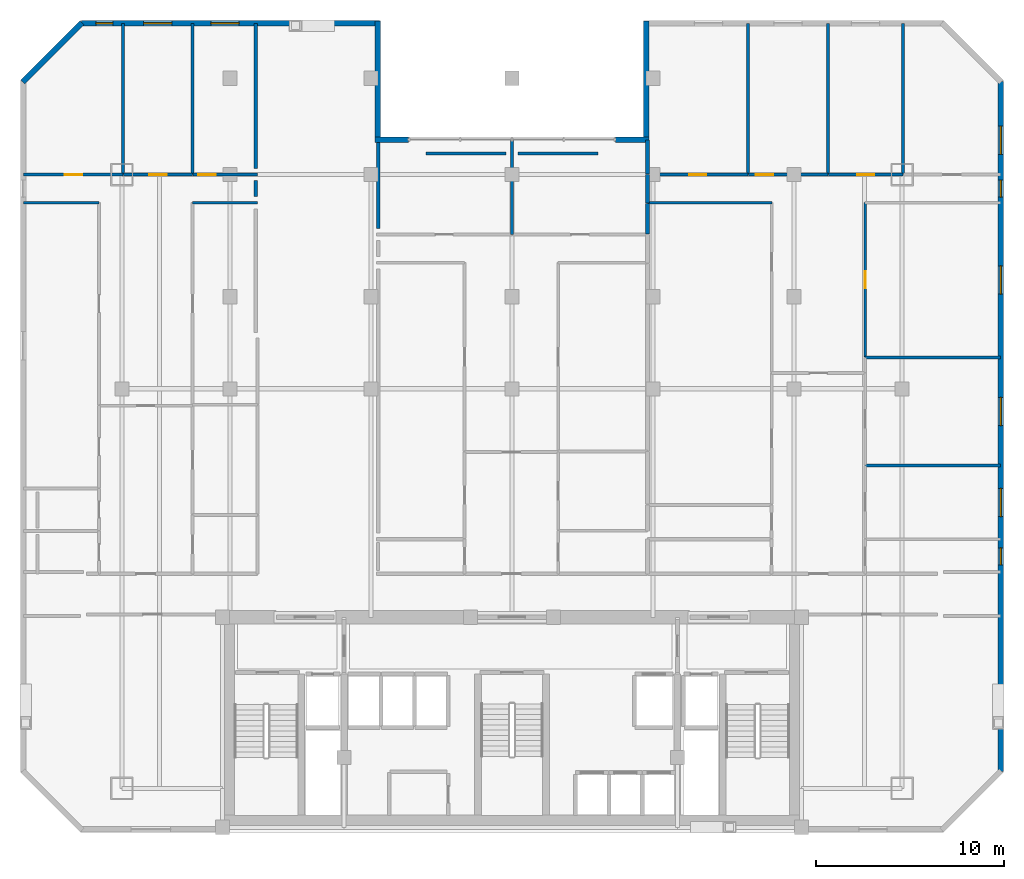
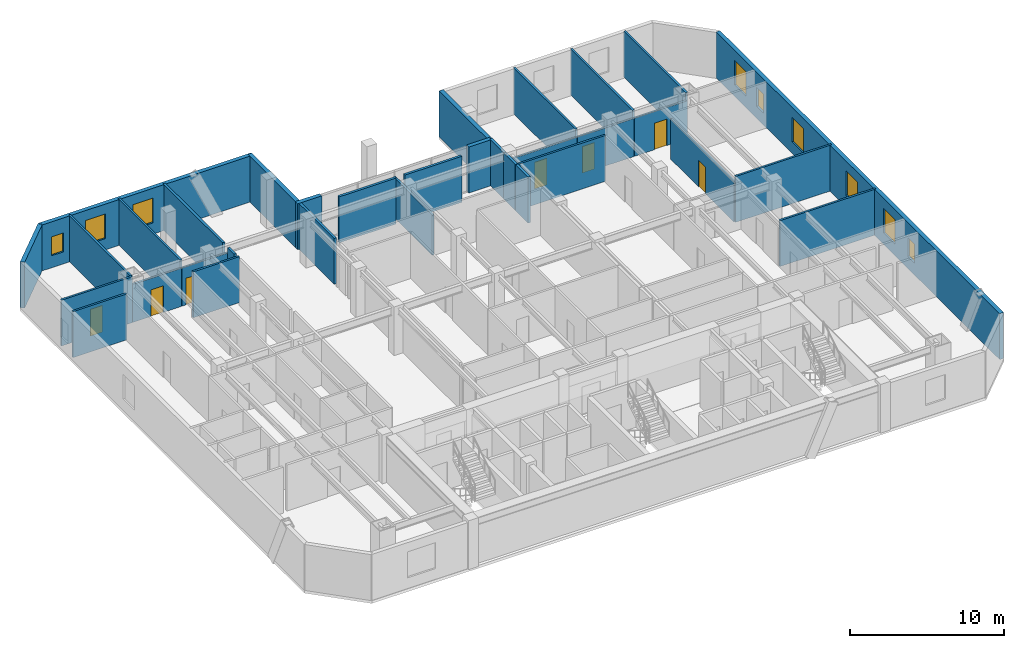
# One storey, part 7 of 9: 33 walls, 9 windows, 7 doors, 16 openings.
"""IFC4 building model written with IfcOpenShell, lengths in metres."""

from ifc_helpers import new_model, si_unit, direction, frame, frame_2d, origin, place, context, subcontext, project, spatial, rectangle, extrude, material, layer, layer_set, type_object, element, fill, save


model = new_model("IFC4")

# Units and contexts
model_context = context("Model", 3, precision=1e-05, world=origin(), true_north=direction((0.0, 1.0)))
body_context = subcontext(model_context, "Body", "Model", "MODEL_VIEW")
ifc_project = project(units=[si_unit("LENGTHUNIT", "METRE"), si_unit("AREAUNIT", "SQUARE_METRE"), si_unit("VOLUMEUNIT", "CUBIC_METRE"), si_unit("PLANEANGLEUNIT", "RADIAN"), si_unit("MASSUNIT", "GRAM", prefix="KILO")], contexts=[model_context])

# Site, building, storey
site_placement = place(None, origin())
site = spatial("IfcSite", under=ifc_project, at=site_placement, CompositionType="ELEMENT")
building_placement = place(site_placement, origin())
building = spatial("IfcBuilding", under=site, at=building_placement, Name="Ventersveld Concourse Tower", CompositionType="ELEMENT")
storey_placement = place(building_placement, frame((0.0, 0.0, 145.199951171875)))
storey = spatial("IfcBuildingStorey", under=building, at=storey_placement, Name="L35", CompositionType="ELEMENT", Elevation=145.199951171875)

# Walls
ifc_material_1 = material(Name="Fire-rated autoclaved aerated masonry blockwork", Category="masonry")
ifc_layer_1 = layer(ifc_material_1, 0.179931640625)
ifc_layer_set_1 = layer_set([ifc_layer_1], Name="Fire-rated autoclaved aerated masonry blockwork")
wall_type_1 = type_object("IfcWallType", Name="WL-CORR-180", PredefinedType="PARTITIONING", material=ifc_layer_set_1)
wall_1_placement = place(storey_placement, frame((15.1201171875, 34.675048828125, 0.0), z_axis=(0.0, 0.0, 1.0), x_axis=(0.0, -1.0, 0.0)))
element("IfcWall", 1, at=wall_1_placement, inside=storey, type_object=wall_type_1, Name="L35 Room Enclosure Wall SP-L35-35NW-LIV", PredefinedType="PARTITIONING", context=body_context, shape_type="SweptSolid", body=[
    extrude(rectangle(XDim=0.85009765625, YDim=0.179931640625, at=frame_2d((0.425048828125, 0.0))), origin(), (0.0, 0.0, 1.0), 3.630126953125),
])
wall_2_placement = place(storey_placement, frame((15.1201171875, 43.027587890625, 0.0), z_axis=(0.0, 0.0, 1.0), x_axis=(0.0, -1.0, 0.0)))
element("IfcWall", 2, at=wall_2_placement, inside=storey, type_object=wall_type_1, Name="L35 Room Enclosure Wall SP-L35-35NW-BR3", PredefinedType="PARTITIONING", context=body_context, shape_type="SweptSolid", body=[
    extrude(rectangle(XDim=7.70263671875, YDim=0.179931640625, at=frame_2d((3.851318359375, 0.0))), origin(), (0.0, 0.0, 1.0), 3.630126953125),
])
wall_3_placement = place(storey_placement, frame((21.6298828125, 32.135009765625, 0.0), z_axis=(0.0, 0.0, 1.0), x_axis=(0.0, 1.0, 0.0)))
element("IfcWall", 3, at=wall_3_placement, inside=storey, type_object=wall_type_1, Name="L35 Room Enclosure Wall SP-L35-35CM-BR1", PredefinedType="PARTITIONING", context=body_context, shape_type="SweptSolid", body=[
    extrude(rectangle(XDim=4.6923828125, YDim=0.179931640625, at=frame_2d((2.34619140625, 0.0))), origin(), (0.0, 0.0, 1.0), 3.630126953125),
])
for number, where, z_axis, x_axis, name in (
    (4, (24.16796875, 36.1201171875, 0.0), (0.0, 0.0, 1.0), (1.0, 0.0, 0.0), "L35 Room Enclosure Wall SP-L35-35CM-BR1"),
    (5, (29.074951171875, 36.1201171875, 0.0), (0.0, 0.0, 1.0), (1.0, 0.0, 0.0), "L35 Room Enclosure Wall SP-L35-35CM-BR2"),
):
    element("IfcWall", number, at=place(storey_placement, frame(where, z_axis=z_axis, x_axis=x_axis)), inside=storey, type_object=wall_type_1, Name=name, PredefinedType="PARTITIONING", context=body_context, shape_type="SweptSolid", body=[
        extrude(rectangle(XDim=4.257080078125, YDim=0.179931640625, at=frame_2d((2.12841796875, 0.0))), origin(), (0.0, 0.0, 1.0), 3.630126953125),
    ])
ifc_layer_2 = layer(ifc_material_1, 0.199951171875)
ifc_layer_set_2 = layer_set([ifc_layer_2], Name="Fire-rated autoclaved aerated masonry blockwork")
wall_type_2 = type_object("IfcWallType", Name="WL-DEMISE-200", PredefinedType="PARTITIONING", material=ifc_layer_set_2)
wall_4_placement = place(storey_placement, frame((35.9599609375, 33.4951171875, 0.0), z_axis=(0.0, 0.0, 1.0), x_axis=(0.0, 1.0, 0.0)))
element("IfcWall", 6, at=wall_4_placement, inside=storey, type_object=wall_type_2, Name="L35 Interior Partition SP-L35-35CE-LIV-SP-L35-35CM-BR2", PredefinedType="PARTITIONING", context=body_context, shape_type="SweptSolid", body=[
    extrude(rectangle(XDim=1.509765625, YDim=0.199951171875, at=frame_2d((0.7548828125, 0.0))), origin(), (0.0, 0.0, 1.0), 3.630126953125),
])
wall_5_placement = place(storey_placement, frame((35.9599609375, 31.844970703125, 0.0), z_axis=(0.0, 0.0, 1.0), x_axis=(0.0, 1.0, 0.0)))
element("IfcWall", 7, at=wall_5_placement, inside=storey, type_object=wall_type_2, Name="L35 Interior Partition SP-L35-35CE-OFFL0-SP-L35-35CM-BR2", PredefinedType="PARTITIONING", context=body_context, shape_type="SweptSolid", body=[
    extrude(rectangle(XDim=1.6201171875, YDim=0.199951171875, at=frame_2d((0.81005859375, 0.0))), origin(), (0.0, 0.0, 1.0), 3.630126953125),
])
wall_6_placement = place(storey_placement, frame((35.9599609375, 35.034912109375, 0.0), z_axis=(0.0, 0.0, 1.0), x_axis=(0.0, 1.0, 0.0)))
element("IfcWall", 8, at=wall_6_placement, inside=storey, type_object=wall_type_2, Name="L35 Interior Partition SP-L35-35CE-BR1-SP-L35-35CM-BR2", PredefinedType="PARTITIONING", context=body_context, shape_type="SweptSolid", body=[
    extrude(rectangle(XDim=1.79248046875, YDim=0.199951171875, at=frame_2d((0.896240234375, 0.0))), origin(), (0.0, 0.0, 1.0), 3.630126953125),
])
ifc_material_2 = material(Name="Autoclaved aerated masonry blockwork", Category="masonry")
ifc_layer_3 = layer(ifc_material_2, 0.14990234375)
ifc_layer_set_3 = layer_set([ifc_layer_3], Name="Autoclaved aerated masonry blockwork")
wall_type_3 = type_object("IfcWallType", Name="WL-INT-150", PredefinedType="PARTITIONING", material=ifc_layer_set_3)
wall_7_placement = place(storey_placement, frame((2.7724609375, 33.5, 0.0), z_axis=(0.0, 0.0, 1.0), x_axis=(1.0, 0.0, 0.0)))
element("IfcWall", 9, at=wall_7_placement, inside=storey, type_object=wall_type_3, Name="L35 Interior Partition SP-L35-35NW-LIV-SP-L35-35NW-OFFL0", PredefinedType="PARTITIONING", context=body_context, shape_type="SweptSolid", body=[
    extrude(rectangle(XDim=4.01416015625, YDim=0.14990234375, at=frame_2d((2.007080078125, 0.0))), origin(), (0.0, 0.0, 1.0), 3.630126953125),
])
wall_8_placement = place(storey_placement, frame((11.756591796875, 33.5, 0.0), z_axis=(0.0, 0.0, 1.0), x_axis=(1.0, 0.0, 0.0)))
element("IfcWall", 10, at=wall_8_placement, inside=storey, type_object=wall_type_3, Name="L35 Interior Partition SP-L35-35NW-LIV-SP-L35-35NW-DENS", PredefinedType="PARTITIONING", context=body_context, shape_type="SweptSolid", body=[
    extrude(rectangle(XDim=3.45849609375, YDim=0.14990234375, at=frame_2d((1.729248046875, 0.0))), origin(), (0.0, 0.0, 1.0), 3.630126953125),
])

# Wall, opening, door
wall_9_placement = place(storey_placement, frame((2.7724609375, 35.0, 0.0), z_axis=(0.0, 0.0, 1.0), x_axis=(1.0, 0.0, 0.0)))
wall_9 = element("IfcWall", 11, at=wall_9_placement, inside=storey, type_object=wall_type_3, Name="L35 Interior Partition SP-L35-35NW-LIV-SP-L35-35NW-BR1", PredefinedType="PARTITIONING", context=body_context, shape_type="SweptSolid", body=[
    extrude(rectangle(XDim=5.291748046875, YDim=0.14990234375, at=frame_2d((2.64599609375, 0.0))), origin(), (0.0, 0.0, 1.0), 3.630126953125),
])
opening_1_placement = place(wall_9_placement, frame((2.185791015625, 0.0, 0.0)))
opening_1 = element("IfcOpeningElement", 12, at=opening_1_placement, cuts=wall_9, Name="Opening ID1", PredefinedType="OPENING", context=body_context, shape_type="SweptSolid", body=[
    extrude(rectangle(XDim=0.919921875, YDim=2.10009765625, at=frame_2d((0.4599609375, 1.050048828125))), frame((0.0, 0.0849609375, 0.0), z_axis=(0.0, -1.0, 0.0), x_axis=(1.0, 0.0, 0.0)), (0.0, 0.0, 1.0), 0.169921875),
])
ifc_material_3 = material(Name="Solid-core hardwood veneer timber", Category="wood")
door_type = type_object("IfcDoorType", Name="DR-ROOM-092", OperationType="NOTDEFINED", PredefinedType="DOOR", material=ifc_material_3)
door_1_placement = place(opening_1_placement, origin())
door_1 = element("IfcDoor", 13, at=door_1_placement, inside=storey, type_object=door_type, Name="L35 Interior Door SP-L35-35NW-LIV to SP-L35-35NW-BR1 (D-L35-1721)", OperationType="SINGLE_SWING_LEFT", OverallHeight=2.10009765625, OverallWidth=0.919921875, PredefinedType="DOOR", context=body_context, shape_type="SweptSolid", body=[
    extrude(rectangle(XDim=0.919921875, YDim=2.10009765625, at=frame_2d((0.4599609375, 1.050048828125))), frame((0.0, 0.02490234375, 0.0), z_axis=(0.0, -1.0, 0.0), x_axis=(1.0, 0.0, 0.0)), (0.0, 0.0, 1.0), 0.050048828125),
])
fill(opening_1, door_1)

wall_10_placement = place(storey_placement, frame((8.09423828125, 35.0, 0.0), z_axis=(0.0, 0.0, 1.0), x_axis=(1.0, 0.0, 0.0)))
wall_10 = element("IfcWall", 14, at=wall_10_placement, inside=storey, type_object=wall_type_3, Name="L35 Interior Partition SP-L35-35NW-LIV-SP-L35-35NW-BR2", PredefinedType="PARTITIONING", context=body_context, shape_type="SweptSolid", body=[
    extrude(rectangle(XDim=3.662353515625, YDim=0.14990234375, at=frame_2d((1.8310546875, 0.0))), origin(), (0.0, 0.0, 1.0), 3.012939453125),
])
opening_2_placement = place(wall_10_placement, frame((1.371337890625, 0.0, 0.0)))
opening_2 = element("IfcOpeningElement", 15, at=opening_2_placement, cuts=wall_10, Name="Opening ID1", PredefinedType="OPENING", context=body_context, shape_type="SweptSolid", body=[
    extrude(rectangle(XDim=0.919921875, YDim=2.10009765625, at=frame_2d((0.4599609375, 1.050048828125))), frame((0.0, 0.0849609375, 0.0), z_axis=(0.0, -1.0, 0.0), x_axis=(1.0, 0.0, 0.0)), (0.0, 0.0, 1.0), 0.169921875),
])
door_2_placement = place(opening_2_placement, origin())
door_2 = element("IfcDoor", 16, at=door_2_placement, inside=storey, type_object=door_type, Name="L35 Interior Door SP-L35-35NW-LIV to SP-L35-35NW-BR2 (D-L35-1722)", OperationType="SINGLE_SWING_RIGHT", OverallHeight=2.10009765625, OverallWidth=0.919921875, PredefinedType="DOOR", context=body_context, shape_type="SweptSolid", body=[
    extrude(rectangle(XDim=0.919921875, YDim=2.10009765625, at=frame_2d((0.4599609375, 1.050048828125))), frame((0.0, 0.02490234375, 0.0), z_axis=(0.0, -1.0, 0.0), x_axis=(1.0, 0.0, 0.0)), (0.0, 0.0, 1.0), 0.050048828125),
])
fill(opening_2, door_2)

wall_11_placement = place(storey_placement, frame((11.78662109375, 35.0, 0.0), z_axis=(0.0, 0.0, 1.0), x_axis=(1.0, 0.0, 0.0)))
wall_11 = element("IfcWall", 17, at=wall_11_placement, inside=storey, type_object=wall_type_3, Name="L35 Interior Partition SP-L35-35NW-LIV-SP-L35-35NW-BR3", PredefinedType="PARTITIONING", context=body_context, shape_type="SweptSolid", body=[
    extrude(rectangle(XDim=3.428466796875, YDim=0.14990234375, at=frame_2d((1.71435546875, 0.0))), origin(), (0.0, 0.0, 1.0), 3.012939453125),
])
opening_3_placement = place(wall_11_placement, frame((0.280029296875, 0.0, 0.0)))
opening_3 = element("IfcOpeningElement", 18, at=opening_3_placement, cuts=wall_11, Name="Opening ID1", PredefinedType="OPENING", context=body_context, shape_type="SweptSolid", body=[
    extrude(rectangle(XDim=0.919921875, YDim=2.10009765625, at=frame_2d((0.4599609375, 1.050048828125))), frame((0.0, 0.0849609375, 0.0), z_axis=(0.0, -1.0, 0.0), x_axis=(1.0, 0.0, 0.0)), (0.0, 0.0, 1.0), 0.169921875),
])
door_3_placement = place(opening_3_placement, origin())
door_3 = element("IfcDoor", 19, at=door_3_placement, inside=storey, type_object=door_type, Name="L35 Interior Door SP-L35-35NW-LIV to SP-L35-35NW-BR3 (D-L35-1723)", OperationType="SINGLE_SWING_LEFT", OverallHeight=2.10009765625, OverallWidth=0.919921875, PredefinedType="DOOR", context=body_context, shape_type="SweptSolid", body=[
    extrude(rectangle(XDim=0.919921875, YDim=2.10009765625, at=frame_2d((0.4599609375, 1.050048828125))), frame((0.0, 0.02490234375, 0.0), z_axis=(0.0, -1.0, 0.0), x_axis=(1.0, 0.0, 0.0)), (0.0, 0.0, 1.0), 0.050048828125),
])
fill(opening_3, door_3)

# Walls
for number, where, z_axis, x_axis, name in (
    (20, (8.05908203125, 34.9951171875, 0.0), (0.0, 0.0, 1.0), (0.0, 1.0, 0.0), "L35 Interior Partition SP-L35-35NW-BR1-SP-L35-35NW-BR2"),
    (21, (11.751708984375, 34.9951171875, 0.0), (0.0, 0.0, 1.0), (0.0, 1.0, 0.0), "L35 Interior Partition SP-L35-35NW-BR2-SP-L35-35NW-BR3"),
):
    element("IfcWall", number, at=place(storey_placement, frame(where, z_axis=z_axis, x_axis=x_axis)), inside=storey, type_object=wall_type_3, Name=name, PredefinedType="PARTITIONING", context=body_context, shape_type="SweptSolid", body=[
        extrude(rectangle(XDim=8.032470703125, YDim=0.14990234375, at=frame_2d((4.01611328125, 0.0))), origin(), (0.0, 0.0, 1.0), 3.630126953125),
    ])
wall_12_placement = place(storey_placement, frame((35.955078125, 33.5, 0.0), z_axis=(0.0, 0.0, 1.0), x_axis=(1.0, 0.0, 0.0)))
element("IfcWall", 22, at=wall_12_placement, inside=storey, type_object=wall_type_3, Name="L35 Interior Partition SP-L35-35CE-LIV-SP-L35-35CE-OFFL0", PredefinedType="PARTITIONING", context=body_context, shape_type="SweptSolid", body=[
    extrude(rectangle(XDim=6.6123046875, YDim=0.14990234375, at=frame_2d((3.30615234375, 0.0))), origin(), (0.0, 0.0, 1.0), 3.630126953125),
])

# Wall, opening, door
wall_13_placement = place(storey_placement, frame((47.542236328125, 25.30712890625, 0.0), z_axis=(0.0, 0.0, 1.0), x_axis=(0.0, 1.0, 0.0)))
wall_13 = element("IfcWall", 23, at=wall_13_placement, inside=storey, type_object=wall_type_3, Name="L35 Interior Partition SP-L35-35CE-LIV-SP-L35-35CE-DENS2", PredefinedType="PARTITIONING", context=body_context, shape_type="SweptSolid", body=[
    extrude(rectangle(XDim=8.19775390625, YDim=0.14990234375, at=frame_2d((4.098876953125, 0.0))), origin(), (0.0, 0.0, 1.0), 3.1767578125),
])
opening_4_placement = place(wall_13_placement, frame((3.638916015625, 0.0, 0.0)))
opening_4 = element("IfcOpeningElement", 24, at=opening_4_placement, cuts=wall_13, Name="Opening ID1", PredefinedType="OPENING", context=body_context, shape_type="SweptSolid", body=[
    extrude(rectangle(XDim=0.919921875, YDim=2.10009765625, at=frame_2d((0.4599609375, 1.050048828125))), frame((0.0, 0.0849609375, 0.0), z_axis=(0.0, -1.0, 0.0), x_axis=(1.0, 0.0, 0.0)), (0.0, 0.0, 1.0), 0.169921875),
])
door_4_placement = place(opening_4_placement, origin())
door_4 = element("IfcDoor", 25, at=door_4_placement, inside=storey, type_object=door_type, Name="L35 Interior Door SP-L35-35CE-LIV to SP-L35-35CE-DENS2 (D-L35-1732)", OperationType="SINGLE_SWING_RIGHT", OverallHeight=2.10009765625, OverallWidth=0.919921875, PredefinedType="DOOR", context=body_context, shape_type="SweptSolid", body=[
    extrude(rectangle(XDim=0.919921875, YDim=2.10009765625, at=frame_2d((0.4599609375, 1.050048828125))), frame((0.0, 0.02490234375, 0.0), z_axis=(0.0, -1.0, 0.0), x_axis=(1.0, 0.0, 0.0)), (0.0, 0.0, 1.0), 0.050048828125),
])
fill(opening_4, door_4)

wall_14_placement = place(storey_placement, frame((35.955078125, 35.0, 0.0), z_axis=(0.0, 0.0, 1.0), x_axis=(1.0, 0.0, 0.0)))
wall_14 = element("IfcWall", 26, at=wall_14_placement, inside=storey, type_object=wall_type_3, Name="L35 Interior Partition SP-L35-35CE-LIV-SP-L35-35CE-BR1", PredefinedType="PARTITIONING", context=body_context, shape_type="SweptSolid", body=[
    extrude(rectangle(XDim=5.3525390625, YDim=0.14990234375, at=frame_2d((2.67626953125, 0.0))), origin(), (0.0, 0.0, 1.0), 3.012939453125),
])
opening_5_placement = place(wall_14_placement, frame((2.21630859375, 0.0, 0.0)))
opening_5 = element("IfcOpeningElement", 27, at=opening_5_placement, cuts=wall_14, Name="Opening ID1", PredefinedType="OPENING", context=body_context, shape_type="SweptSolid", body=[
    extrude(rectangle(XDim=0.919921875, YDim=2.10009765625, at=frame_2d((0.4599609375, 1.050048828125))), frame((0.0, 0.0849609375, 0.0), z_axis=(0.0, -1.0, 0.0), x_axis=(1.0, 0.0, 0.0)), (0.0, 0.0, 1.0), 0.169921875),
])
door_5_placement = place(opening_5_placement, origin())
door_5 = element("IfcDoor", 28, at=door_5_placement, inside=storey, type_object=door_type, Name="L35 Interior Door SP-L35-35CE-LIV to SP-L35-35CE-BR1 (D-L35-1733)", OperationType="SINGLE_SWING_LEFT", OverallHeight=2.10009765625, OverallWidth=0.919921875, PredefinedType="DOOR", context=body_context, shape_type="SweptSolid", body=[
    extrude(rectangle(XDim=0.919921875, YDim=2.10009765625, at=frame_2d((0.4599609375, 1.050048828125))), frame((0.0, 0.02490234375, 0.0), z_axis=(0.0, -1.0, 0.0), x_axis=(1.0, 0.0, 0.0)), (0.0, 0.0, 1.0), 0.050048828125),
])
fill(opening_5, door_5)

wall_15_placement = place(storey_placement, frame((41.337646484375, 35.0, 0.0), z_axis=(0.0, 0.0, 1.0), x_axis=(1.0, 0.0, 0.0)))
wall_15 = element("IfcWall", 29, at=wall_15_placement, inside=storey, type_object=wall_type_3, Name="L35 Interior Partition SP-L35-35CE-LIV-SP-L35-35CE-BR2", PredefinedType="PARTITIONING", context=body_context, shape_type="SweptSolid", body=[
    extrude(rectangle(XDim=4.225830078125, YDim=0.14990234375, at=frame_2d((2.11279296875, 0.0))), origin(), (0.0, 0.0, 1.0), 3.012939453125),
])
opening_6_placement = place(wall_15_placement, frame((0.38525390625, 0.0, 0.0)))
opening_6 = element("IfcOpeningElement", 30, at=opening_6_placement, cuts=wall_15, Name="Opening ID1", PredefinedType="OPENING", context=body_context, shape_type="SweptSolid", body=[
    extrude(rectangle(XDim=0.919921875, YDim=2.10009765625, at=frame_2d((0.4599609375, 1.050048828125))), frame((0.0, 0.0849609375, 0.0), z_axis=(0.0, -1.0, 0.0), x_axis=(1.0, 0.0, 0.0)), (0.0, 0.0, 1.0), 0.169921875),
])
door_6_placement = place(opening_6_placement, origin())
door_6 = element("IfcDoor", 31, at=door_6_placement, inside=storey, type_object=door_type, Name="L35 Interior Door SP-L35-35CE-LIV to SP-L35-35CE-BR2 (D-L35-1734)", OperationType="SINGLE_SWING_RIGHT", OverallHeight=2.10009765625, OverallWidth=0.919921875, PredefinedType="DOOR", context=body_context, shape_type="SweptSolid", body=[
    extrude(rectangle(XDim=0.919921875, YDim=2.10009765625, at=frame_2d((0.4599609375, 1.050048828125))), frame((0.0, 0.02490234375, 0.0), z_axis=(0.0, -1.0, 0.0), x_axis=(1.0, 0.0, 0.0)), (0.0, 0.0, 1.0), 0.050048828125),
])
fill(opening_6, door_6)

wall_16_placement = place(storey_placement, frame((45.593505859375, 35.0, 0.0), z_axis=(0.0, 0.0, 1.0), x_axis=(1.0, 0.0, 0.0)))
wall_16 = element("IfcWall", 32, at=wall_16_placement, inside=storey, type_object=wall_type_3, Name="L35 Interior Partition SP-L35-35CE-LIV-SP-L35-35CE-BR3", PredefinedType="PARTITIONING", context=body_context, shape_type="SweptSolid", body=[
    extrude(rectangle(XDim=3.9541015625, YDim=0.14990234375, at=frame_2d((1.97705078125, 0.0))), origin(), (0.0, 0.0, 1.0), 3.012939453125),
])
opening_7_placement = place(wall_16_placement, frame((1.51708984375, 0.0, 0.0)))
opening_7 = element("IfcOpeningElement", 33, at=opening_7_placement, cuts=wall_16, Name="Opening ID1", PredefinedType="OPENING", context=body_context, shape_type="SweptSolid", body=[
    extrude(rectangle(XDim=0.919921875, YDim=2.10009765625, at=frame_2d((0.4599609375, 1.050048828125))), frame((0.0, 0.0849609375, 0.0), z_axis=(0.0, -1.0, 0.0), x_axis=(1.0, 0.0, 0.0)), (0.0, 0.0, 1.0), 0.169921875),
])
door_7_placement = place(opening_7_placement, origin())
door_7 = element("IfcDoor", 34, at=door_7_placement, inside=storey, type_object=door_type, Name="L35 Interior Door SP-L35-35CE-LIV to SP-L35-35CE-BR3 (D-L35-1735)", OperationType="SINGLE_SWING_LEFT", OverallHeight=2.10009765625, OverallWidth=0.919921875, PredefinedType="DOOR", context=body_context, shape_type="SweptSolid", body=[
    extrude(rectangle(XDim=0.919921875, YDim=2.10009765625, at=frame_2d((0.4599609375, 1.050048828125))), frame((0.0, 0.02490234375, 0.0), z_axis=(0.0, -1.0, 0.0), x_axis=(1.0, 0.0, 0.0)), (0.0, 0.0, 1.0), 0.050048828125),
])
fill(opening_7, door_7)

# Walls
for number, where, z_axis, x_axis, name in (
    (35, (47.537353515625, 19.5166015625, 0.0), (0.0, 0.0, 1.0), (1.0, 0.0, 0.0), "L35 Interior Partition SP-L35-35CE-SEMR1-SP-L35-35CE-DENS"),
    (36, (47.537353515625, 25.272216796875, 0.0), (0.0, 0.0, 1.0), (1.0, 0.0, 0.0), "L35 Interior Partition SP-L35-35CE-DENS-SP-L35-35CE-DENS2"),
):
    element("IfcWall", number, at=place(storey_placement, frame(where, z_axis=z_axis, x_axis=x_axis)), inside=storey, type_object=wall_type_3, Name=name, PredefinedType="PARTITIONING", context=body_context, shape_type="SweptSolid", body=[
        extrude(rectangle(XDim=7.190185546875, YDim=0.14990234375, at=frame_2d((3.59521484375, 0.0))), origin(), (0.0, 0.0, 1.0), 3.630126953125),
    ])
for number, where, z_axis, x_axis, name in (
    (37, (41.302734375, 34.9951171875, 0.0), (0.0, 0.0, 1.0), (0.0, 1.0, 0.0), "L35 Interior Partition SP-L35-35CE-BR1-SP-L35-35CE-BR2"),
    (38, (45.55859375, 34.9951171875, 0.0), (0.0, 0.0, 1.0), (0.0, 1.0, 0.0), "L35 Interior Partition SP-L35-35CE-BR2-SP-L35-35CE-BR3"),
    (39, (49.54248046875, 34.9951171875, 0.0), (0.0, 0.0, 1.0), (0.0, 1.0, 0.0), "L35 Interior Partition SP-L35-35CE-BR3-SP-L35-35CE-BR4"),
):
    element("IfcWall", number, at=place(storey_placement, frame(where, z_axis=z_axis, x_axis=x_axis)), inside=storey, type_object=wall_type_3, Name=name, PredefinedType="PARTITIONING", context=body_context, shape_type="SweptSolid", body=[
        extrude(rectangle(XDim=8.032470703125, YDim=0.14990234375, at=frame_2d((4.01611328125, 0.0))), origin(), (0.0, 0.0, 1.0), 3.630126953125),
    ])
wall_17_placement = place(storey_placement, frame((28.75, 31.804931640625, 0.0), z_axis=(0.0, 0.0, 1.0), x_axis=(0.0, 1.0, 0.0)))
element("IfcWall", 40, at=wall_17_placement, inside=storey, type_object=wall_type_3, Name="L35 Interior Partition SP-L35-35CM-BR1-SP-L35-35CM-BR2", PredefinedType="PARTITIONING", context=body_context, shape_type="SweptSolid", body=[
    extrude(rectangle(XDim=5.02099609375, YDim=0.14990234375, at=frame_2d((2.510498046875, 0.0))), origin(), (0.0, 0.0, 1.0), 3.1767578125),
])

# Wall, openings, windows
ifc_material_4 = material(Name="Precast concrete C45/55", Category="concrete")
ifc_layer_4 = layer(ifc_material_4, 0.300048828125)
ifc_layer_set_4 = layer_set([ifc_layer_4], Name="Precast concrete C45/55")
wall_type_4 = type_object("IfcWallType", Name="WL-PREC-300", PredefinedType="SOLIDWALL", material=ifc_layer_set_4)
wall_18_placement = place(storey_placement, frame((54.75, 3.239990234375, 0.0), z_axis=(0.0, 0.0, 1.0), x_axis=(0.0, 1.0, 0.0)))
wall_18 = element("IfcWall", 41, at=wall_18_placement, inside=storey, type_object=wall_type_4, Name="L35 Highveld Precast Facade Wall E03", PredefinedType="SOLIDWALL", context=body_context, shape_type="SweptSolid", body=[
    extrude(rectangle(XDim=36.719970703125, YDim=0.300048828125, at=frame_2d((18.35986328125, 0.0))), origin(), (0.0, 0.0, 1.0), 3.630126953125),
])
opening_8_placement = place(wall_18_placement, frame((30.56005859375, 0.0, 0.949951171875)))
opening_8 = element("IfcOpeningElement", 42, at=opening_8_placement, cuts=wall_18, Name="Opening W4", PredefinedType="OPENING", context=body_context, shape_type="SweptSolid", body=[
    extrude(rectangle(XDim=0.89990234375, YDim=1.5, at=frame_2d((0.449951171875, 0.75))), frame((0.0, 0.16015625, 0.0), z_axis=(0.0, -1.0, 0.0), x_axis=(1.0, 0.0, 0.0)), (0.0, 0.0, 1.0), 0.320068359375),
])
opening_9_placement = place(wall_18_placement, frame((10.9951171875, 0.0, 0.949951171875)))
opening_9 = element("IfcOpeningElement", 43, at=opening_9_placement, cuts=wall_18, Name="Opening W4", PredefinedType="OPENING", context=body_context, shape_type="SweptSolid", body=[
    extrude(rectangle(XDim=0.89990234375, YDim=1.5, at=frame_2d((0.449951171875, 0.75))), frame((0.0, 0.16015625, 0.0), z_axis=(0.0, -1.0, 0.0), x_axis=(1.0, 0.0, 0.0)), (0.0, 0.0, 1.0), 0.320068359375),
])
opening_10_placement = place(wall_18_placement, frame((13.568359375, 0.0, 0.89990234375)))
opening_10 = element("IfcOpeningElement", 44, at=opening_10_placement, cuts=wall_18, Name="Opening W1", PredefinedType="OPENING", context=body_context, shape_type="SweptSolid", body=[
    extrude(rectangle(XDim=1.5, YDim=1.949951171875, at=frame_2d((0.75, 0.97509765625))), frame((0.0, 0.16015625, 0.0), z_axis=(0.0, -1.0, 0.0), x_axis=(1.0, 0.0, 0.0)), (0.0, 0.0, 1.0), 0.320068359375),
])
opening_11_placement = place(wall_18_placement, frame((18.404296875, 0.0, 0.89990234375)))
opening_11 = element("IfcOpeningElement", 45, at=opening_11_placement, cuts=wall_18, Name="Opening W1", PredefinedType="OPENING", context=body_context, shape_type="SweptSolid", body=[
    extrude(rectangle(XDim=1.5, YDim=1.949951171875, at=frame_2d((0.75, 0.97509765625))), frame((0.0, 0.16015625, 0.0), z_axis=(0.0, -1.0, 0.0), x_axis=(1.0, 0.0, 0.0)), (0.0, 0.0, 1.0), 0.320068359375),
])
opening_12_placement = place(wall_18_placement, frame((25.39599609375, 0.0, 0.89990234375)))
opening_12 = element("IfcOpeningElement", 46, at=opening_12_placement, cuts=wall_18, Name="Opening W1", PredefinedType="OPENING", context=body_context, shape_type="SweptSolid", body=[
    extrude(rectangle(XDim=1.5, YDim=1.949951171875, at=frame_2d((0.75, 0.97509765625))), frame((0.0, 0.16015625, 0.0), z_axis=(0.0, -1.0, 0.0), x_axis=(1.0, 0.0, 0.0)), (0.0, 0.0, 1.0), 0.320068359375),
])
opening_13_placement = place(wall_18_placement, frame((32.833740234375, 0.0, 0.89990234375)))
opening_13 = element("IfcOpeningElement", 47, at=opening_13_placement, cuts=wall_18, Name="Opening W1", PredefinedType="OPENING", context=body_context, shape_type="SweptSolid", body=[
    extrude(rectangle(XDim=1.5, YDim=1.949951171875, at=frame_2d((0.75, 0.97509765625))), frame((0.0, 0.16015625, 0.0), z_axis=(0.0, -1.0, 0.0), x_axis=(1.0, 0.0, 0.0)), (0.0, 0.0, 1.0), 0.320068359375),
])
ifc_material_5 = material(Name="Tempered acoustic Low-E IGU", Category="glass")
window_type_1 = type_object("IfcWindowType", Name="WIN-090x150", PartitioningType="SINGLE_PANEL", PredefinedType="WINDOW", material=ifc_material_5)
window_1_placement = place(opening_8_placement, origin())
window_1 = element("IfcWindow", 48, at=window_1_placement, inside=storey, type_object=window_type_1, Name="L35 Punched Low-E Window W-0452", OverallHeight=1.5, OverallWidth=0.89990234375, PartitioningType="SINGLE_PANEL", PredefinedType="WINDOW", context=body_context, shape_type="SweptSolid", body=[
    extrude(rectangle(XDim=0.89990234375, YDim=1.5, at=frame_2d((0.449951171875, 0.75))), frame((0.0, 0.030029296875, 0.0), z_axis=(0.0, -1.0, 0.0), x_axis=(1.0, 0.0, 0.0)), (0.0, 0.0, 1.0), 0.06005859375),
])
fill(opening_8, window_1)
window_2_placement = place(opening_9_placement, origin())
window_2 = element("IfcWindow", 49, at=window_2_placement, inside=storey, type_object=window_type_1, Name="L35 Punched Low-E Window W-0453", OverallHeight=1.5, OverallWidth=0.89990234375, PartitioningType="SINGLE_PANEL", PredefinedType="WINDOW", context=body_context, shape_type="SweptSolid", body=[
    extrude(rectangle(XDim=0.89990234375, YDim=1.5, at=frame_2d((0.449951171875, 0.75))), frame((0.0, 0.030029296875, 0.0), z_axis=(0.0, -1.0, 0.0), x_axis=(1.0, 0.0, 0.0)), (0.0, 0.0, 1.0), 0.06005859375),
])
fill(opening_9, window_2)
window_type_2 = type_object("IfcWindowType", Name="WIN-150x210", PartitioningType="SINGLE_PANEL", PredefinedType="WINDOW", material=ifc_material_5)
window_3_placement = place(opening_10_placement, origin())
window_3 = element("IfcWindow", 50, at=window_3_placement, inside=storey, type_object=window_type_2, Name="L35 Punched Low-E Window W-0454", OverallHeight=1.949951171875, OverallWidth=1.5, PartitioningType="SINGLE_PANEL", PredefinedType="WINDOW", context=body_context, shape_type="SweptSolid", body=[
    extrude(rectangle(XDim=1.5, YDim=1.949951171875, at=frame_2d((0.75, 0.97509765625))), frame((0.0, 0.030029296875, 0.0), z_axis=(0.0, -1.0, 0.0), x_axis=(1.0, 0.0, 0.0)), (0.0, 0.0, 1.0), 0.06005859375),
])
fill(opening_10, window_3)
window_4_placement = place(opening_11_placement, origin())
window_4 = element("IfcWindow", 51, at=window_4_placement, inside=storey, type_object=window_type_2, Name="L35 Punched Low-E Window W-0455", OverallHeight=1.949951171875, OverallWidth=1.5, PartitioningType="SINGLE_PANEL", PredefinedType="WINDOW", context=body_context, shape_type="SweptSolid", body=[
    extrude(rectangle(XDim=1.5, YDim=1.949951171875, at=frame_2d((0.75, 0.97509765625))), frame((0.0, 0.030029296875, 0.0), z_axis=(0.0, -1.0, 0.0), x_axis=(1.0, 0.0, 0.0)), (0.0, 0.0, 1.0), 0.06005859375),
])
fill(opening_11, window_4)
window_5_placement = place(opening_12_placement, origin())
window_5 = element("IfcWindow", 52, at=window_5_placement, inside=storey, type_object=window_type_2, Name="L35 Punched Low-E Window W-0456", OverallHeight=1.949951171875, OverallWidth=1.5, PartitioningType="SINGLE_PANEL", PredefinedType="WINDOW", context=body_context, shape_type="SweptSolid", body=[
    extrude(rectangle(XDim=1.5, YDim=1.949951171875, at=frame_2d((0.75, 0.97509765625))), frame((0.0, 0.030029296875, 0.0), z_axis=(0.0, -1.0, 0.0), x_axis=(1.0, 0.0, 0.0)), (0.0, 0.0, 1.0), 0.06005859375),
])
fill(opening_12, window_5)
window_6_placement = place(opening_13_placement, origin())
window_6 = element("IfcWindow", 53, at=window_6_placement, inside=storey, type_object=window_type_2, Name="L35 Punched Low-E Window W-0460", OverallHeight=1.949951171875, OverallWidth=1.5, PartitioningType="SINGLE_PANEL", PredefinedType="WINDOW", context=body_context, shape_type="SweptSolid", body=[
    extrude(rectangle(XDim=1.5, YDim=1.949951171875, at=frame_2d((0.75, 0.97509765625))), frame((0.0, 0.030029296875, 0.0), z_axis=(0.0, -1.0, 0.0), x_axis=(1.0, 0.0, 0.0)), (0.0, 0.0, 1.0), 0.06005859375),
])
fill(opening_13, window_6)

# Walls
wall_19_placement = place(storey_placement, frame((35.89990234375, 43.159912109375, 0.0), z_axis=(0.0, 0.0, 1.0), x_axis=(0.0, -1.0, 0.0)))
element("IfcWall", 54, at=wall_19_placement, inside=storey, type_object=wall_type_4, Name="L35 Highveld Precast Facade Wall E06", PredefinedType="SOLIDWALL", context=body_context, shape_type="SweptSolid", body=[
    extrude(rectangle(XDim=6.159912109375, YDim=0.300048828125, at=frame_2d((3.080078125, 0.0))), origin(), (0.0, 0.0, 1.0), 3.630126953125),
])
for number, where, z_axis, x_axis, name in (
    (55, (21.449951171875, 36.85009765625, 0.0), (0.0, 0.0, 1.0), (1.0, 0.0, 0.0), "L35 Sky Garden West Pier"),
    (56, (34.25, 36.85009765625, 0.0), (0.0, 0.0, 1.0), (1.0, 0.0, 0.0), "L35 Sky Garden East Pier"),
):
    element("IfcWall", number, at=place(storey_placement, frame(where, z_axis=z_axis, x_axis=x_axis)), inside=storey, type_object=wall_type_4, Name=name, PredefinedType="SOLIDWALL", context=body_context, shape_type="SweptSolid", body=[
        extrude(rectangle(XDim=1.800048828125, YDim=0.300048828125, at=frame_2d((0.89990234375, 0.0))), origin(), (0.0, 0.0, 1.0), 3.630126953125),
    ])
wall_20_placement = place(storey_placement, frame((21.60009765625, 37.0, 0.0), z_axis=(0.0, 0.0, 1.0), x_axis=(0.0, 1.0, 0.0)))
element("IfcWall", 57, at=wall_20_placement, inside=storey, type_object=wall_type_4, Name="L35 Highveld Precast Facade Wall E08", PredefinedType="SOLIDWALL", context=body_context, shape_type="SweptSolid", body=[
    extrude(rectangle(XDim=6.159912109375, YDim=0.300048828125, at=frame_2d((3.080078125, 0.0))), origin(), (0.0, 0.0, 1.0), 3.630126953125),
])

# Wall, openings, windows
wall_21_placement = place(storey_placement, frame((21.7099609375, 43.050048828125, 0.0), z_axis=(0.0, 0.0, 1.0), x_axis=(-1.0, 0.0, 0.0)))
wall_21 = element("IfcWall", 58, at=wall_21_placement, inside=storey, type_object=wall_type_4, Name="L35 Highveld Precast Facade Wall E09", PredefinedType="SOLIDWALL", context=body_context, shape_type="SweptSolid", body=[
    extrude(rectangle(XDim=15.869873046875, YDim=0.300048828125, at=frame_2d((7.93505859375, 0.0))), origin(), (0.0, 0.0, 1.0), 3.630126953125),
])
opening_14_placement = place(wall_21_placement, frame((14.18994140625, 0.0, 0.949951171875)))
opening_14 = element("IfcOpeningElement", 59, at=opening_14_placement, cuts=wall_21, Name="Opening W4", PredefinedType="OPENING", context=body_context, shape_type="SweptSolid", body=[
    extrude(rectangle(XDim=0.89990234375, YDim=1.5, at=frame_2d((0.449951171875, 0.75))), frame((0.0, 0.16015625, 0.0), z_axis=(0.0, -1.0, 0.0), x_axis=(1.0, 0.0, 0.0)), (0.0, 0.0, 1.0), 0.320068359375),
])
opening_15_placement = place(wall_21_placement, frame((11.0546875, 0.0, 0.89990234375)))
opening_15 = element("IfcOpeningElement", 60, at=opening_15_placement, cuts=wall_21, Name="Opening W1", PredefinedType="OPENING", context=body_context, shape_type="SweptSolid", body=[
    extrude(rectangle(XDim=1.5, YDim=1.949951171875, at=frame_2d((0.75, 0.97509765625))), frame((0.0, 0.16015625, 0.0), z_axis=(0.0, -1.0, 0.0), x_axis=(1.0, 0.0, 0.0)), (0.0, 0.0, 1.0), 0.320068359375),
])
opening_16_placement = place(wall_21_placement, frame((7.479248046875, 0.0, 0.89990234375)))
opening_16 = element("IfcOpeningElement", 61, at=opening_16_placement, cuts=wall_21, Name="Opening W1", PredefinedType="OPENING", context=body_context, shape_type="SweptSolid", body=[
    extrude(rectangle(XDim=1.5, YDim=1.949951171875, at=frame_2d((0.75, 0.97509765625))), frame((0.0, 0.16015625, 0.0), z_axis=(0.0, -1.0, 0.0), x_axis=(1.0, 0.0, 0.0)), (0.0, 0.0, 1.0), 0.320068359375),
])
window_7_placement = place(opening_14_placement, origin())
window_7 = element("IfcWindow", 62, at=window_7_placement, inside=storey, type_object=window_type_1, Name="L35 Punched Low-E Window W-0449", OverallHeight=1.5, OverallWidth=0.89990234375, PartitioningType="SINGLE_PANEL", PredefinedType="WINDOW", context=body_context, shape_type="SweptSolid", body=[
    extrude(rectangle(XDim=0.89990234375, YDim=1.5, at=frame_2d((0.449951171875, 0.75))), frame((0.0, 0.030029296875, 0.0), z_axis=(0.0, -1.0, 0.0), x_axis=(1.0, 0.0, 0.0)), (0.0, 0.0, 1.0), 0.06005859375),
])
fill(opening_14, window_7)
window_8_placement = place(opening_15_placement, origin())
window_8 = element("IfcWindow", 63, at=window_8_placement, inside=storey, type_object=window_type_2, Name="L35 Punched Low-E Window W-0450", OverallHeight=1.949951171875, OverallWidth=1.5, PartitioningType="SINGLE_PANEL", PredefinedType="WINDOW", context=body_context, shape_type="SweptSolid", body=[
    extrude(rectangle(XDim=1.5, YDim=1.949951171875, at=frame_2d((0.75, 0.97509765625))), frame((0.0, 0.030029296875, 0.0), z_axis=(0.0, -1.0, 0.0), x_axis=(1.0, 0.0, 0.0)), (0.0, 0.0, 1.0), 0.06005859375),
])
fill(opening_15, window_8)
window_9_placement = place(opening_16_placement, origin())
window_9 = element("IfcWindow", 64, at=window_9_placement, inside=storey, type_object=window_type_2, Name="L35 Punched Low-E Window W-0451", OverallHeight=1.949951171875, OverallWidth=1.5, PartitioningType="SINGLE_PANEL", PredefinedType="WINDOW", context=body_context, shape_type="SweptSolid", body=[
    extrude(rectangle(XDim=1.5, YDim=1.949951171875, at=frame_2d((0.75, 0.97509765625))), frame((0.0, 0.030029296875, 0.0), z_axis=(0.0, -1.0, 0.0), x_axis=(1.0, 0.0, 0.0)), (0.0, 0.0, 1.0), 0.06005859375),
])
fill(opening_16, window_9)

# Wall
wall_22_placement = place(storey_placement, frame((5.877685546875, 43.065673828125, 0.0), z_axis=(0.0, 0.0, 1.0), x_axis=(-0.707079321262, -0.707134240044, 0.0)))
element("IfcWall", 65, at=wall_22_placement, inside=storey, type_object=wall_type_4, Name="L35 Highveld Precast Facade Wall E10", PredefinedType="SOLIDWALL", context=body_context, shape_type="SweptSolid", body=[
    extrude(rectangle(XDim=4.445556640625, YDim=0.300048828125, at=frame_2d((2.22265625, 0.0))), origin(), (0.0, 0.0, 1.0), 3.630126953125),
])

save(model, "model.ifc")
